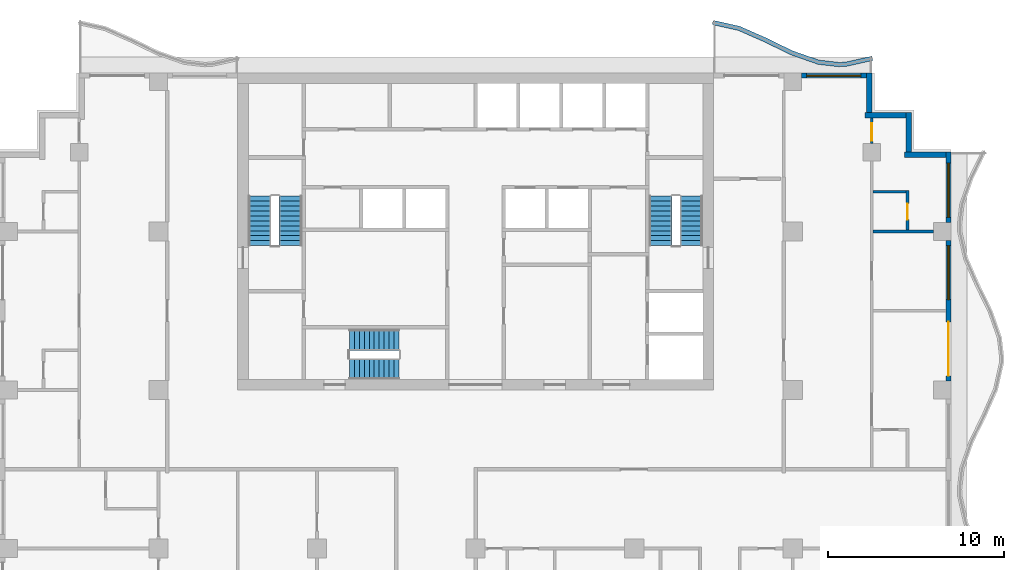
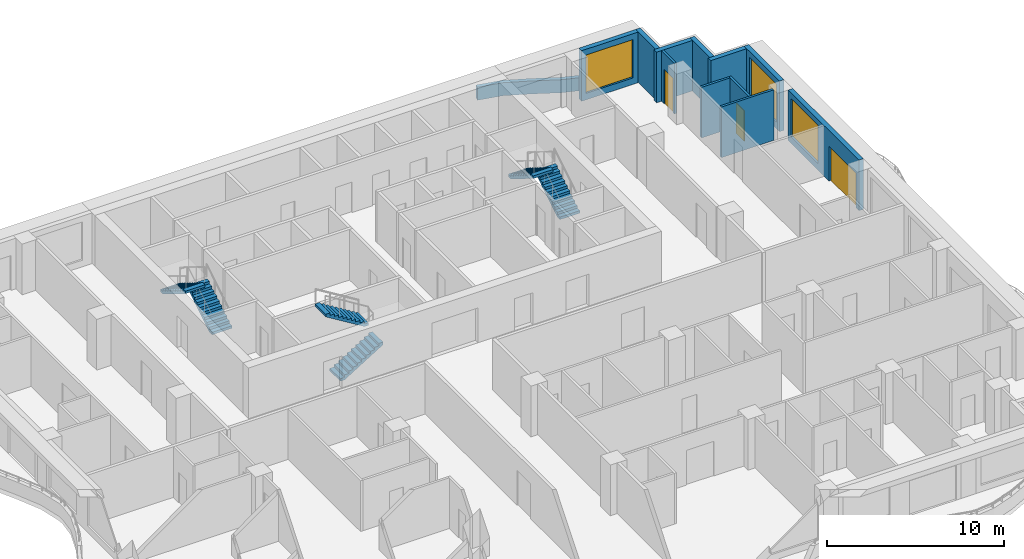
# One storey, part 7 of 11: 12 walls, 6 stair flights, 3 doors, 3 windows, 6 openings, 3 elements without a shape of their own.
"""IFC4 building model written with IfcOpenShell, lengths in metres."""

from ifc_helpers import new_model, si_unit, direction, frame, frame_2d, origin, place, context, subcontext, project, spatial, polyline, rectangle, outline, extrude, material, layer, layer_set, type_object, element, fill, aggregate, save


model = new_model("IFC4")

# Units and contexts
model_context = context("Model", 3, precision=1e-05, world=origin(), true_north=direction((0.0, 1.0)))
body_context = subcontext(model_context, "Body", "Model", "MODEL_VIEW")
ifc_project = project(units=[si_unit("LENGTHUNIT", "METRE"), si_unit("AREAUNIT", "SQUARE_METRE"), si_unit("VOLUMEUNIT", "CUBIC_METRE"), si_unit("PLANEANGLEUNIT", "RADIAN"), si_unit("MASSUNIT", "GRAM", prefix="KILO")], contexts=[model_context])

# Site, building, storey
site_placement = place(None, origin())
site = spatial("IfcSite", under=ifc_project, at=site_placement, CompositionType="ELEMENT")
building_placement = place(site_placement, origin())
building = spatial("IfcBuilding", under=site, at=building_placement, Name="Orbiselva Terraces", CompositionType="ELEMENT")
storey_placement = place(building_placement, frame((0.0, 0.0, 199.6)))
storey = spatial("IfcBuildingStorey", under=building, at=storey_placement, Name="L50", CompositionType="ELEMENT", Elevation=199.6)

# Wall
ifc_material_1 = material(Name="Concrete C40/50", Category="concrete")
ifc_layer_1 = layer(ifc_material_1, 0.25)
ifc_layer_set_1 = layer_set([ifc_layer_1], Name="Concrete C40/50")
wall_type_1 = type_object("IfcWallType", Name="ENV-PLANTER-250x900", PredefinedType="USERDEFINED", material=ifc_layer_set_1)
wall_1_placement = place(storey_placement, origin())
element("IfcWall", 1, at=wall_1_placement, inside=storey, type_object=wall_type_1, Name="Balcony planter L50 NE", ObjectType="PLANTER", PredefinedType="USERDEFINED", context=body_context, shape_type="SweptSolid", body=[
    extrude(outline(polyline([(22.5, 23.451472), (21.0, 23.114774), (20.625, 23.1), (19.5, 23.230792), (18.0, 23.755211), (16.5, 24.487721), (15.0, 25.148528), (13.5, 25.485226), (13.445246, 25.241296), (14.921492, 24.90993), (16.394714, 24.260919), (17.90356, 23.524089), (19.443629, 22.985662), (20.615428, 22.849429), (21.032565, 22.865863), (22.554754, 23.207542), (22.5, 23.451472)])), origin(), (0.0, 0.0, 1.0), 0.9),
])

# Wall, openings, door, window
ifc_material_2 = material(Name="Terracotta cladding on masonry backing", Category="masonry")
ifc_layer_2 = layer(ifc_material_2, 0.3)
ifc_layer_set_2 = layer_set([ifc_layer_2], Name="Terracotta cladding on masonry backing")
wall_type_2 = type_object("IfcWallType", Name="ENV-WALL-TERRACOTTA-300", PredefinedType="SOLIDWALL", material=ifc_layer_set_2)
wall_2_placement = place(storey_placement, frame((26.85, 13.0, 0.0), z_axis=(0.0, 0.0, 1.0), x_axis=(0.0, -1.0, 0.0)))
wall_2 = element("IfcWall", 2, at=wall_2_placement, inside=storey, type_object=wall_type_2, Name="Facade wall L50 E", PredefinedType="SOLIDWALL", context=body_context, shape_type="SweptSolid", body=[
    extrude(rectangle(XDim=8.0, YDim=0.3, at=frame_2d((4.0, 0.0))), origin(), (0.0, 0.0, 1.0), 3.5),
])
opening_1_placement = place(wall_2_placement, frame((4.625, 0.0, 0.0)))
opening_1 = element("IfcOpeningElement", 3, at=opening_1_placement, cuts=wall_2, Name="Opening Z4-B-E16", PredefinedType="OPENING", context=body_context, shape_type="SweptSolid", body=[
    extrude(rectangle(XDim=3.075, YDim=2.4, at=frame_2d((1.5375, 1.2))), frame((0.0, 0.16, 0.0), z_axis=(0.0, -1.0, 0.0), x_axis=(1.0, 0.0, 0.0)), (0.0, 0.0, 1.0), 0.32),
])
opening_2_placement = place(wall_2_placement, frame((0.3, 0.0, 0.45)))
opening_2 = element("IfcOpeningElement", 4, at=opening_2_placement, cuts=wall_2, Name="Opening WN15", PredefinedType="OPENING", context=body_context, shape_type="SweptSolid", body=[
    extrude(rectangle(XDim=3.075, YDim=2.65, at=frame_2d((1.5375, 1.325))), frame((0.0, 0.16, 0.0), z_axis=(0.0, -1.0, 0.0), x_axis=(1.0, 0.0, 0.0)), (0.0, 0.0, 1.0), 0.32),
])
ifc_material_3 = material(Name="Clear low-e glazing in aluminium frame", Category="aluminium")
door_type_1 = type_object("IfcDoorType", Name="BALCONY DOOR 3075 X 2400", OperationType="DOUBLE_DOOR_SLIDING", PredefinedType="DOOR", material=ifc_material_3)
door_1_placement = place(opening_1_placement, origin())
door_1 = element("IfcDoor", 5, at=door_1_placement, inside=storey, type_object=door_type_1, Name="Z4-B-E16", OperationType="SINGLE_SWING_LEFT", OverallHeight=2.4, OverallWidth=3.075, PredefinedType="DOOR", context=body_context, shape_type="SweptSolid", body=[
    extrude(rectangle(XDim=3.075, YDim=2.4, at=frame_2d((1.5375, 1.2))), frame((0.0, 0.025, 0.0), z_axis=(0.0, -1.0, 0.0), x_axis=(1.0, 0.0, 0.0)), (0.0, 0.0, 1.0), 0.05),
])
fill(opening_1, door_1)
window_type = type_object("IfcWindowType", Name="WINDOW 3075 X 2650 S450", PartitioningType="TRIPLE_PANEL_VERTICAL", PredefinedType="WINDOW", material=ifc_material_3)
window_1_placement = place(opening_2_placement, origin())
window_1 = element("IfcWindow", 6, at=window_1_placement, inside=storey, type_object=window_type, Name="Window L50 E", OverallHeight=2.65, OverallWidth=3.075, PartitioningType="SINGLE_PANEL", PredefinedType="WINDOW", context=body_context, shape_type="SweptSolid", body=[
    extrude(rectangle(XDim=3.075, YDim=2.65, at=frame_2d((1.5375, 1.325))), frame((0.0, 0.03, 0.0), z_axis=(0.0, -1.0, 0.0), x_axis=(1.0, 0.0, 0.0)), (0.0, 0.0, 1.0), 0.06),
])
fill(opening_2, window_1)

# Wall, opening, window
wall_3_placement = place(storey_placement, frame((26.85, 18.0, 0.0), z_axis=(0.0, 0.0, 1.0), x_axis=(0.0, -1.0, 0.0)))
wall_3 = element("IfcWall", 7, at=wall_3_placement, inside=storey, type_object=wall_type_2, Name="Facade wall L50 E", PredefinedType="SOLIDWALL", context=body_context, shape_type="SweptSolid", body=[
    extrude(rectangle(XDim=4.0, YDim=0.3, at=frame_2d((2.0, 0.0))), origin(), (0.0, 0.0, 1.0), 3.5),
])
opening_3_placement = place(wall_3_placement, frame((0.625, 0.0, 0.45)))
opening_3 = element("IfcOpeningElement", 8, at=opening_3_placement, cuts=wall_3, Name="Opening WN15", PredefinedType="OPENING", context=body_context, shape_type="SweptSolid", body=[
    extrude(rectangle(XDim=3.075, YDim=2.65, at=frame_2d((1.5375, 1.325))), frame((0.0, 0.16, 0.0), z_axis=(0.0, -1.0, 0.0), x_axis=(1.0, 0.0, 0.0)), (0.0, 0.0, 1.0), 0.32),
])
window_2_placement = place(opening_3_placement, origin())
window_2 = element("IfcWindow", 9, at=window_2_placement, inside=storey, type_object=window_type, Name="Window L50 E", OverallHeight=2.65, OverallWidth=3.075, PartitioningType="SINGLE_PANEL", PredefinedType="WINDOW", context=body_context, shape_type="SweptSolid", body=[
    extrude(rectangle(XDim=3.075, YDim=2.65, at=frame_2d((1.5375, 1.325))), frame((0.0, 0.03, 0.0), z_axis=(0.0, -1.0, 0.0), x_axis=(1.0, 0.0, 0.0)), (0.0, 0.0, 1.0), 0.06),
])
fill(opening_3, window_2)

# Walls
wall_4_placement = place(storey_placement, frame((24.35, 17.85, 0.0), z_axis=(0.0, 0.0, 1.0), x_axis=(1.0, 0.0, 0.0)))
element("IfcWall", 10, at=wall_4_placement, inside=storey, type_object=wall_type_2, Name="Facade wall L50 STEP", PredefinedType="SOLIDWALL", context=body_context, shape_type="SweptSolid", body=[
    extrude(rectangle(XDim=2.35, YDim=0.3, at=frame_2d((1.175, 0.0))), origin(), (0.0, 0.0, 1.0), 3.5),
])
wall_5_placement = place(storey_placement, frame((24.6, 20.25, 0.0), z_axis=(0.0, 0.0, 1.0), x_axis=(0.0, -1.0, 0.0)))
element("IfcWall", 11, at=wall_5_placement, inside=storey, type_object=wall_type_2, Name="Facade wall L50 STEP", PredefinedType="SOLIDWALL", context=body_context, shape_type="SweptSolid", body=[
    extrude(rectangle(XDim=2.25, YDim=0.3, at=frame_2d((1.125, 0.0))), origin(), (0.0, 0.0, 1.0), 3.5),
])
wall_6_placement = place(storey_placement, frame((22.1, 20.1, 0.0), z_axis=(0.0, 0.0, 1.0), x_axis=(1.0, 0.0, 0.0)))
element("IfcWall", 12, at=wall_6_placement, inside=storey, type_object=wall_type_2, Name="Facade wall L50 STEP", PredefinedType="SOLIDWALL", context=body_context, shape_type="SweptSolid", body=[
    extrude(rectangle(XDim=2.35, YDim=0.3, at=frame_2d((1.175, 0.0))), origin(), (0.0, 0.0, 1.0), 3.5),
])
wall_7_placement = place(storey_placement, frame((22.35, 22.5, 0.0), z_axis=(0.0, 0.0, 1.0), x_axis=(0.0, -1.0, 0.0)))
element("IfcWall", 13, at=wall_7_placement, inside=storey, type_object=wall_type_2, Name="Facade wall L50 STEP", PredefinedType="SOLIDWALL", context=body_context, shape_type="SweptSolid", body=[
    extrude(rectangle(XDim=2.25, YDim=0.3, at=frame_2d((1.125, 0.0))), origin(), (0.0, 0.0, 1.0), 3.5),
])

# Wall, opening, window
wall_8_placement = place(storey_placement, frame((18.5, 22.35, 0.0), z_axis=(0.0, 0.0, 1.0), x_axis=(1.0, 0.0, 0.0)))
wall_8 = element("IfcWall", 14, at=wall_8_placement, inside=storey, type_object=wall_type_2, Name="Facade wall L50 NE", PredefinedType="SOLIDWALL", context=body_context, shape_type="SweptSolid", body=[
    extrude(rectangle(XDim=3.7, YDim=0.3, at=frame_2d((1.85, 0.0))), origin(), (0.0, 0.0, 1.0), 3.5),
])
opening_4_placement = place(wall_8_placement, frame((0.3, 0.0, 0.45)))
opening_4 = element("IfcOpeningElement", 15, at=opening_4_placement, cuts=wall_8, Name="Opening WN15", PredefinedType="OPENING", context=body_context, shape_type="SweptSolid", body=[
    extrude(rectangle(XDim=3.075, YDim=2.65, at=frame_2d((1.5375, 1.325))), frame((0.0, 0.16, 0.0), z_axis=(0.0, -1.0, 0.0), x_axis=(1.0, 0.0, 0.0)), (0.0, 0.0, 1.0), 0.32),
])
window_3_placement = place(opening_4_placement, origin())
window_3 = element("IfcWindow", 16, at=window_3_placement, inside=storey, type_object=window_type, Name="Window L50 NE", OverallHeight=2.65, OverallWidth=3.075, PartitioningType="SINGLE_PANEL", PredefinedType="WINDOW", context=body_context, shape_type="SweptSolid", body=[
    extrude(rectangle(XDim=3.075, YDim=2.65, at=frame_2d((1.5375, 1.325))), frame((0.0, 0.03, 0.0), z_axis=(0.0, -1.0, 0.0), x_axis=(1.0, 0.0, 0.0)), (0.0, 0.0, 1.0), 0.06),
])
fill(opening_4, window_3)

# Walls
ifc_material_4 = material(Name="Plasterboard on steel stud partition", Category="steel")
ifc_layer_3 = layer(ifc_material_4, 0.15)
ifc_layer_set_3 = layer_set([ifc_layer_3], Name="Plasterboard on steel stud partition")
wall_type_3 = type_object("IfcWallType", Name="UNIT-PARTITION-150", PredefinedType="PARTITIONING", material=ifc_layer_set_3)
wall_9_placement = place(storey_placement, frame((22.575, 13.5, 0.0), z_axis=(0.0, 0.0, 1.0), x_axis=(1.0, 0.0, 0.0)))
element("IfcWall", 17, at=wall_9_placement, inside=storey, type_object=wall_type_3, Name="PARTITION L50-038", PredefinedType="PARTITIONING", context=body_context, shape_type="SweptSolid", body=[
    extrude(rectangle(XDim=3.425, YDim=0.15, at=frame_2d((1.7125, 0.0))), origin(), (0.0, 0.0, 1.0), 3.5),
])
wall_10_placement = place(storey_placement, frame((22.575, 15.75, 0.0), z_axis=(0.0, 0.0, 1.0), x_axis=(1.0, 0.0, 0.0)))
element("IfcWall", 18, at=wall_10_placement, inside=storey, type_object=wall_type_3, Name="PARTITION L50-040", PredefinedType="PARTITIONING", context=body_context, shape_type="SweptSolid", body=[
    extrude(rectangle(XDim=1.875, YDim=0.15, at=frame_2d((0.9375, 0.0))), origin(), (0.0, 0.0, 1.0), 3.5),
])

# Wall, opening, door
wall_11_placement = place(storey_placement, frame((22.5, 19.95, 0.0), z_axis=(0.0, 0.0, 1.0), x_axis=(0.0, -1.0, 0.0)))
wall_11 = element("IfcWall", 19, at=wall_11_placement, inside=storey, type_object=wall_type_3, Name="PARTITION L50-085", PredefinedType="PARTITIONING", context=body_context, shape_type="SweptSolid", body=[
    extrude(rectangle(XDim=1.45, YDim=0.15, at=frame_2d((0.725, 0.0))), origin(), (0.0, 0.0, 1.0), 3.5),
])
opening_5_placement = place(wall_11_placement, frame((0.3, 0.0, 0.0)))
opening_5 = element("IfcOpeningElement", 20, at=opening_5_placement, cuts=wall_11, Name="Opening Z4-B-12", PredefinedType="OPENING", context=body_context, shape_type="SweptSolid", body=[
    extrude(rectangle(XDim=1.0, YDim=2.4, at=frame_2d((0.5, 1.2))), frame((0.0, 0.085, 0.0), z_axis=(0.0, -1.0, 0.0), x_axis=(1.0, 0.0, 0.0)), (0.0, 0.0, 1.0), 0.17),
])
ifc_material_5 = material(Name="Painted timber door leaf", Category="wood")
door_type_2 = type_object("IfcDoorType", Name="ROOM DOOR 1000", OperationType="NOTDEFINED", PredefinedType="DOOR", material=ifc_material_5)
door_2_placement = place(opening_5_placement, origin())
door_2 = element("IfcDoor", 21, at=door_2_placement, inside=storey, type_object=door_type_2, Name="Z4-B-12", OperationType="SINGLE_SWING_RIGHT", OverallHeight=2.4, OverallWidth=1.0, PredefinedType="DOOR", context=body_context, shape_type="SweptSolid", body=[
    extrude(rectangle(XDim=1.0, YDim=2.4, at=frame_2d((0.5, 1.2))), frame((0.0, 0.025, 0.0), z_axis=(0.0, -1.0, 0.0), x_axis=(1.0, 0.0, 0.0)), (0.0, 0.0, 1.0), 0.05),
])
fill(opening_5, door_2)

wall_12_placement = place(storey_placement, frame((24.525, 13.575, 0.0), z_axis=(0.0, 0.0, 1.0), x_axis=(0.0, 1.0, 0.0)))
wall_12 = element("IfcWall", 22, at=wall_12_placement, inside=storey, type_object=wall_type_3, Name="PARTITION L50-088", PredefinedType="PARTITIONING", context=body_context, shape_type="SweptSolid", body=[
    extrude(rectangle(XDim=2.25, YDim=0.15, at=frame_2d((1.125, 0.0))), origin(), (0.0, 0.0, 1.0), 3.5),
])
opening_6_placement = place(wall_12_placement, frame((0.6, 0.0, 0.0)))
opening_6 = element("IfcOpeningElement", 23, at=opening_6_placement, cuts=wall_12, Name="Opening Z4-B-13", PredefinedType="OPENING", context=body_context, shape_type="SweptSolid", body=[
    extrude(rectangle(XDim=0.9, YDim=2.1, at=frame_2d((0.45, 1.05))), frame((0.0, 0.085, 0.0), z_axis=(0.0, -1.0, 0.0), x_axis=(1.0, 0.0, 0.0)), (0.0, 0.0, 1.0), 0.17),
])
door_type_3 = type_object("IfcDoorType", Name="BATH DOOR 900", OperationType="NOTDEFINED", PredefinedType="DOOR", material=ifc_material_5)
door_3_placement = place(opening_6_placement, origin())
door_3 = element("IfcDoor", 24, at=door_3_placement, inside=storey, type_object=door_type_3, Name="Z4-B-13", OperationType="SINGLE_SWING_LEFT", OverallHeight=2.1, OverallWidth=0.9, PredefinedType="DOOR", context=body_context, shape_type="SweptSolid", body=[
    extrude(rectangle(XDim=0.9, YDim=2.1, at=frame_2d((0.45, 1.05))), frame((0.0, 0.025, 0.0), z_axis=(0.0, -1.0, 0.0), x_axis=(1.0, 0.0, 0.0)), (0.0, 0.0, 1.0), 0.05),
])
fill(opening_6, door_3)

# Stair, stair flights
stair_type_1 = type_object("IfcStairType", Name="CORE-STAIR-1200", PredefinedType="HALF_TURN_STAIR", material=ifc_material_1)
stair_1_placement = place(storey_placement, origin())
stair_1 = element("IfcStair", 25, at=stair_1_placement, inside=storey, type_object=stair_type_1, Name="L50 Exit Stair S3", PredefinedType="HALF_TURN_STAIR")
stair_flight_type_1 = type_object("IfcStairFlightType", Name="CORE-STAIR-FLIGHT-1200", PredefinedType="STRAIGHT", material=ifc_material_1)
stair_flight_1_placement = place(storey_placement, frame((-7.15, 5.7, 0.0), z_axis=(0.0, 0.0, 1.0), x_axis=(1.0, 0.0, 0.0)))
stair_flight_1 = element("IfcStairFlight", 26, at=stair_flight_1_placement, type_object=stair_flight_type_1, Name="S3 flight 1", NumberOfRisers=11, NumberOfTreads=10, PredefinedType="STRAIGHT", RiserHeight=0.172727273, TreadLength=0.28, context=body_context, shape_type="SweptSolid", body=[
    extrude(outline(polyline([(0.0, 0.0), (0.0, 0.172727), (0.28, 0.172727), (0.28, 0.345455), (0.56, 0.345455), (0.56, 0.518182), (0.84, 0.518182), (0.84, 0.690909), (1.12, 0.690909), (1.12, 0.863636), (1.4, 0.863636), (1.4, 1.036364), (1.68, 1.036364), (1.68, 1.209091), (1.96, 1.209091), (1.96, 1.381818), (2.24, 1.381818), (2.24, 1.554545), (2.52, 1.554545), (2.52, 1.727273), (2.8, 1.727273), (2.8, 1.9), (2.8, 1.551028), (0.285702, 0.0), (0.0, 0.0)])), frame((0.0, 0.6, 0.0), z_axis=(0.0, -1.0, 0.0), x_axis=(1.0, 0.0, 0.0)), (0.0, 0.0, 1.0), 1.2),
])
stair_flight_2_placement = place(storey_placement, frame((-4.35, 7.35, 1.9), z_axis=(0.0, 0.0, 1.0), x_axis=(-1.0, 0.0, 0.0)))
stair_flight_2 = element("IfcStairFlight", 27, at=stair_flight_2_placement, type_object=stair_flight_type_1, Name="S3 flight 2", NumberOfRisers=11, NumberOfTreads=10, PredefinedType="STRAIGHT", RiserHeight=0.172727273, TreadLength=0.28, context=body_context, shape_type="SweptSolid", body=[
    extrude(outline(polyline([(0.0, 0.0), (0.0, 0.172727), (0.28, 0.172727), (0.28, 0.345455), (0.56, 0.345455), (0.56, 0.518182), (0.84, 0.518182), (0.84, 0.690909), (1.12, 0.690909), (1.12, 0.863636), (1.4, 0.863636), (1.4, 1.036364), (1.68, 1.036364), (1.68, 1.209091), (1.96, 1.209091), (1.96, 1.381818), (2.24, 1.381818), (2.24, 1.554545), (2.52, 1.554545), (2.52, 1.727273), (2.8, 1.727273), (2.8, 1.9), (2.8, 1.551028), (0.285702, 0.0), (0.0, 0.0)])), frame((0.0, 0.6, 0.0), z_axis=(0.0, -1.0, 0.0), x_axis=(1.0, 0.0, 0.0)), (0.0, 0.0, 1.0), 1.2),
])
aggregate(stair_1, [stair_flight_1, stair_flight_2])

stair_type_2 = type_object("IfcStairType", Name="CORE-STAIR-1300", PredefinedType="HALF_TURN_STAIR", material=ifc_material_1)
stair_2_placement = place(storey_placement, origin())
stair_2 = element("IfcStair", 28, at=stair_2_placement, inside=storey, type_object=stair_type_2, Name="L50 Exit Stair S1", PredefinedType="HALF_TURN_STAIR")
stair_flight_type_2 = type_object("IfcStairFlightType", Name="CORE-STAIR-FLIGHT-1300", PredefinedType="STRAIGHT", material=ifc_material_1)
stair_flight_3_placement = place(storey_placement, frame((-10.5, 12.7, 0.0), z_axis=(0.0, 0.0, 1.0), x_axis=(0.0, 1.0, 0.0)))
stair_flight_3 = element("IfcStairFlight", 29, at=stair_flight_3_placement, type_object=stair_flight_type_2, Name="S1 flight 1", NumberOfRisers=11, NumberOfTreads=10, PredefinedType="STRAIGHT", RiserHeight=0.172727273, TreadLength=0.28, context=body_context, shape_type="SweptSolid", body=[
    extrude(outline(polyline([(0.0, 0.0), (0.0, 0.172727), (0.28, 0.172727), (0.28, 0.345455), (0.56, 0.345455), (0.56, 0.518182), (0.84, 0.518182), (0.84, 0.690909), (1.12, 0.690909), (1.12, 0.863636), (1.4, 0.863636), (1.4, 1.036364), (1.68, 1.036364), (1.68, 1.209091), (1.96, 1.209091), (1.96, 1.381818), (2.24, 1.381818), (2.24, 1.554545), (2.52, 1.554545), (2.52, 1.727273), (2.8, 1.727273), (2.8, 1.9), (2.8, 1.551028), (0.285702, 0.0), (0.0, 0.0)])), frame((0.0, 0.65, 0.0), z_axis=(0.0, -1.0, 0.0), x_axis=(1.0, 0.0, 0.0)), (0.0, 0.0, 1.0), 1.3),
])
stair_flight_4_placement = place(storey_placement, frame((-12.25, 15.5, 1.9), z_axis=(0.0, 0.0, 1.0), x_axis=(0.0, -1.0, 0.0)))
stair_flight_4 = element("IfcStairFlight", 30, at=stair_flight_4_placement, type_object=stair_flight_type_2, Name="S1 flight 2", NumberOfRisers=11, NumberOfTreads=10, PredefinedType="STRAIGHT", RiserHeight=0.172727273, TreadLength=0.28, context=body_context, shape_type="SweptSolid", body=[
    extrude(outline(polyline([(0.0, 0.0), (0.0, 0.172727), (0.28, 0.172727), (0.28, 0.345455), (0.56, 0.345455), (0.56, 0.518182), (0.84, 0.518182), (0.84, 0.690909), (1.12, 0.690909), (1.12, 0.863636), (1.4, 0.863636), (1.4, 1.036364), (1.68, 1.036364), (1.68, 1.209091), (1.96, 1.209091), (1.96, 1.381818), (2.24, 1.381818), (2.24, 1.554545), (2.52, 1.554545), (2.52, 1.727273), (2.8, 1.727273), (2.8, 1.9), (2.8, 1.551028), (0.285702, 0.0), (0.0, 0.0)])), frame((0.0, 0.65, 0.0), z_axis=(0.0, -1.0, 0.0), x_axis=(1.0, 0.0, 0.0)), (0.0, 0.0, 1.0), 1.3),
])
aggregate(stair_2, [stair_flight_3, stair_flight_4])

stair_3_placement = place(storey_placement, origin())
stair_3 = element("IfcStair", 31, at=stair_3_placement, inside=storey, type_object=stair_type_2, Name="L50 Exit Stair S2", PredefinedType="HALF_TURN_STAIR")
stair_flight_5_placement = place(storey_placement, frame((12.25, 12.7, 0.0), z_axis=(0.0, 0.0, 1.0), x_axis=(0.0, 1.0, 0.0)))
stair_flight_5 = element("IfcStairFlight", 32, at=stair_flight_5_placement, type_object=stair_flight_type_2, Name="S2 flight 1", NumberOfRisers=11, NumberOfTreads=10, PredefinedType="STRAIGHT", RiserHeight=0.172727273, TreadLength=0.28, context=body_context, shape_type="SweptSolid", body=[
    extrude(outline(polyline([(0.0, 0.0), (0.0, 0.172727), (0.28, 0.172727), (0.28, 0.345455), (0.56, 0.345455), (0.56, 0.518182), (0.84, 0.518182), (0.84, 0.690909), (1.12, 0.690909), (1.12, 0.863636), (1.4, 0.863636), (1.4, 1.036364), (1.68, 1.036364), (1.68, 1.209091), (1.96, 1.209091), (1.96, 1.381818), (2.24, 1.381818), (2.24, 1.554545), (2.52, 1.554545), (2.52, 1.727273), (2.8, 1.727273), (2.8, 1.9), (2.8, 1.551028), (0.285702, 0.0), (0.0, 0.0)])), frame((0.0, 0.65, 0.0), z_axis=(0.0, -1.0, 0.0), x_axis=(1.0, 0.0, 0.0)), (0.0, 0.0, 1.0), 1.3),
])
stair_flight_6_placement = place(storey_placement, frame((10.5, 15.5, 1.9), z_axis=(0.0, 0.0, 1.0), x_axis=(0.0, -1.0, 0.0)))
stair_flight_6 = element("IfcStairFlight", 33, at=stair_flight_6_placement, type_object=stair_flight_type_2, Name="S2 flight 2", NumberOfRisers=11, NumberOfTreads=10, PredefinedType="STRAIGHT", RiserHeight=0.172727273, TreadLength=0.28, context=body_context, shape_type="SweptSolid", body=[
    extrude(outline(polyline([(0.0, 0.0), (0.0, 0.172727), (0.28, 0.172727), (0.28, 0.345455), (0.56, 0.345455), (0.56, 0.518182), (0.84, 0.518182), (0.84, 0.690909), (1.12, 0.690909), (1.12, 0.863636), (1.4, 0.863636), (1.4, 1.036364), (1.68, 1.036364), (1.68, 1.209091), (1.96, 1.209091), (1.96, 1.381818), (2.24, 1.381818), (2.24, 1.554545), (2.52, 1.554545), (2.52, 1.727273), (2.8, 1.727273), (2.8, 1.9), (2.8, 1.551028), (0.285702, 0.0), (0.0, 0.0)])), frame((0.0, 0.65, 0.0), z_axis=(0.0, -1.0, 0.0), x_axis=(1.0, 0.0, 0.0)), (0.0, 0.0, 1.0), 1.3),
])
aggregate(stair_3, [stair_flight_5, stair_flight_6])

save(model, "model.ifc")
